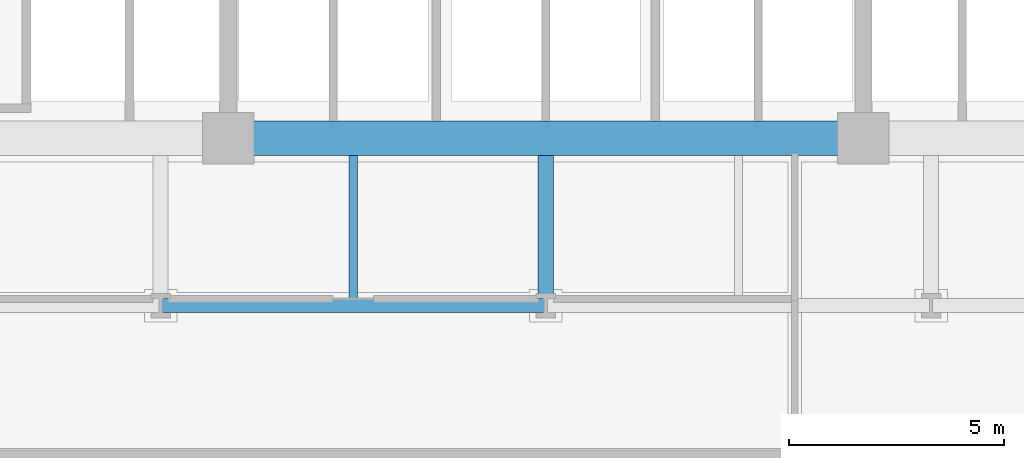
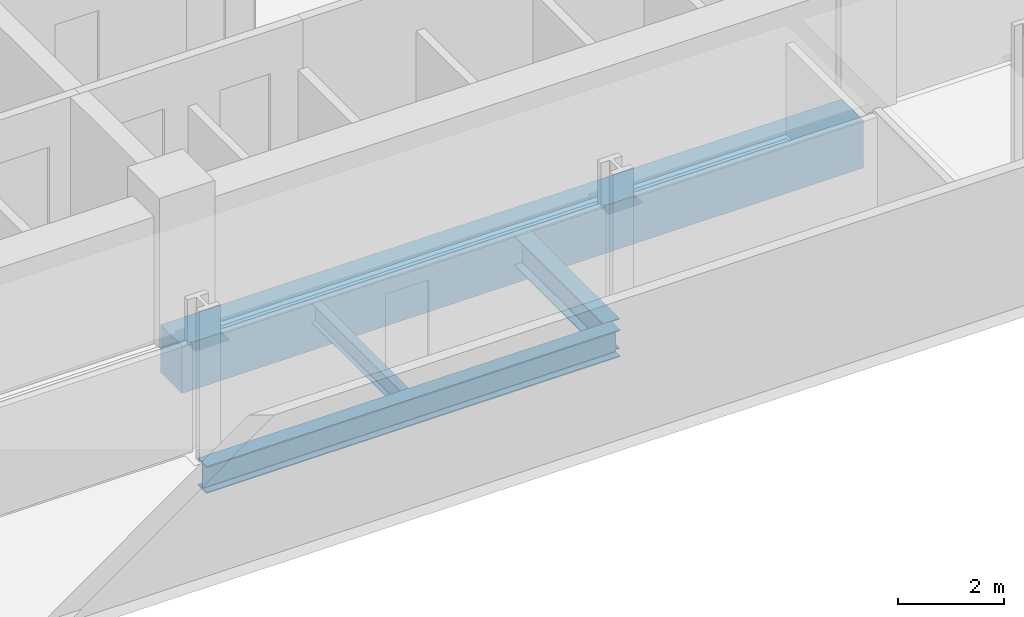
# One storey, part 3 of 20: 4 beams.
"""IFC4 building model written with IfcOpenShell, lengths in metres."""

from ifc_helpers import new_model, si_unit, direction, frame, origin, origin_2d, place, context, subcontext, project, spatial, rectangle, i_section, extrude, material, material_profile, profile_set, type_object, element, save


model = new_model("IFC4")

# Units and contexts
model_context = context("Model", 3, precision=1e-05, world=origin(), true_north=direction((0.0, 1.0)))
body_context = subcontext(model_context, "Body", "Model", "MODEL_VIEW")
ifc_project = project(units=[si_unit("LENGTHUNIT", "METRE"), si_unit("AREAUNIT", "SQUARE_METRE"), si_unit("VOLUMEUNIT", "CUBIC_METRE"), si_unit("PLANEANGLEUNIT", "RADIAN"), si_unit("MASSUNIT", "GRAM", prefix="KILO")], contexts=[model_context])

# Site, building, storey
site_placement = place(None, origin())
site = spatial("IfcSite", under=ifc_project, at=site_placement, CompositionType="ELEMENT")
building_placement = place(site_placement, origin())
building = spatial("IfcBuilding", under=site, at=building_placement, Name="Solmavex Isthmus Hotel", CompositionType="ELEMENT")
storey_placement = place(building_placement, frame((0.0, 0.0, 57.449951171875)))
storey = spatial("IfcBuildingStorey", under=building, at=storey_placement, Name="L15", CompositionType="ELEMENT", Elevation=57.449951171875)

# Beams
ifc_material_1 = material(Name="Steel ASTM A992 Grade 50", Category="steel")
ifc_material_profile_1 = material_profile(ifc_material_1, i_section(OverallWidth=0.354736328125, OverallDepth=0.695556640625, WebThickness=0.015380859375, FlangeThickness=0.02490234375, FilletRadius=0.017822265625, at=origin_2d()), Name="W27X146")
ifc_profile_set_1 = profile_set([ifc_material_profile_1], Name="Steel ASTM A992 Grade 50")
beam_type_1 = type_object("IfcBeamType", Name="BM-BG-W27X146", PredefinedType="BEAM", material=ifc_profile_set_1)
beam_1_placement = place(storey_placement, frame((0.0, -16.73681640625, -0.607666015625), z_axis=(0.0, 1.0, 0.0), x_axis=(-1.0, 0.0, 0.0)))
element("IfcBeam", 1, at=beam_1_placement, inside=storey, type_object=beam_type_1, Name="Floor Beam L15-VG35", PredefinedType="BEAM", context=body_context, shape_type="SweptSolid", body=[
    extrude(i_section(OverallWidth=0.354736328125, OverallDepth=0.695556640625, WebThickness=0.015380859375, FlangeThickness=0.02490234375, FilletRadius=0.017822265625, at=origin_2d()), origin(), (0.0, 0.0, 1.0), 3.3369140625),
])
ifc_material_profile_2 = material_profile(ifc_material_1, i_section(OverallWidth=0.1904296875, OverallDepth=0.456787109375, WebThickness=0.009033203125, FlangeThickness=0.014404296875, FilletRadius=0.0126953125, at=origin_2d()), Name="W18X50")
ifc_profile_set_2 = profile_set([ifc_material_profile_2], Name="Steel ASTM A992 Grade 50")
beam_type_2 = type_object("IfcBeamType", Name="BM-BJ-W18X50", PredefinedType="JOIST", material=ifc_profile_set_2)
beam_2_placement = place(storey_placement, frame((-4.488037109375, -16.73681640625, -0.48828125), z_axis=(0.0, 1.0, 0.0), x_axis=(-1.0, 0.0, 0.0)))
element("IfcBeam", 2, at=beam_2_placement, inside=storey, type_object=beam_type_2, Name="Secondary Floor Joist L15-J08", PredefinedType="JOIST", context=body_context, shape_type="SweptSolid", body=[
    extrude(i_section(OverallWidth=0.1904296875, OverallDepth=0.456787109375, WebThickness=0.009033203125, FlangeThickness=0.014404296875, FilletRadius=0.0126953125, at=origin_2d()), origin(), (0.0, 0.0, 1.0), 3.3369140625),
])
ifc_material_2 = material(Name="Concrete C70/85", Category="concrete")
ifc_material_profile_3 = material_profile(ifc_material_2, rectangle(XDim=0.800048828125, YDim=1.10009765625, at=origin_2d()), Name="RC800X1100")
ifc_profile_set_3 = profile_set([ifc_material_profile_3], Name="Concrete C70/85")
beam_type_3 = type_object("IfcBeamType", Name="BM-CB-800X1100", PredefinedType="BEAM", material=ifc_profile_set_3)
beam_3_placement = place(storey_placement, frame((-7.39990234375, -13.0, -0.81005859375), z_axis=(1.0, 0.0, 0.0), x_axis=(0.0, 1.0, 0.0)))
element("IfcBeam", 3, at=beam_3_placement, inside=storey, type_object=beam_type_3, Name="Core Coupling Beam L15-CB2", PredefinedType="BEAM", context=body_context, shape_type="SweptSolid", body=[
    extrude(rectangle(XDim=0.800048828125, YDim=1.10009765625, at=origin_2d()), origin(), (0.0, 0.0, 1.0), 14.7998046875),
])
ifc_material_profile_4 = material_profile(ifc_material_1, i_section(OverallWidth=0.326416015625, OverallDepth=0.621826171875, WebThickness=0.015380859375, FlangeThickness=0.0244140625, FilletRadius=0.01513671875, at=origin_2d()), Name="W24X131")
ifc_profile_set_4 = profile_set([ifc_material_profile_4], Name="Steel ASTM A992 Grade 50")
beam_type_4 = type_object("IfcBeamType", Name="BM-SP-W24X131", PredefinedType="SPANDREL", material=ifc_profile_set_4)
beam_4_placement = place(storey_placement, frame((-8.97607421875, -16.89990234375, -0.57080078125), z_axis=(1.0, 0.0, 0.0), x_axis=(0.0, 1.0, 0.0)))
element("IfcBeam", 4, at=beam_4_placement, inside=storey, type_object=beam_type_4, Name="Floor Girder L15-UG03", PredefinedType="SPANDREL", context=body_context, shape_type="SweptSolid", body=[
    extrude(i_section(OverallWidth=0.326416015625, OverallDepth=0.621826171875, WebThickness=0.015380859375, FlangeThickness=0.0244140625, FilletRadius=0.01513671875, at=origin_2d()), origin(), (0.0, 0.0, 1.0), 8.97607421875),
])

save(model, "model.ifc")
